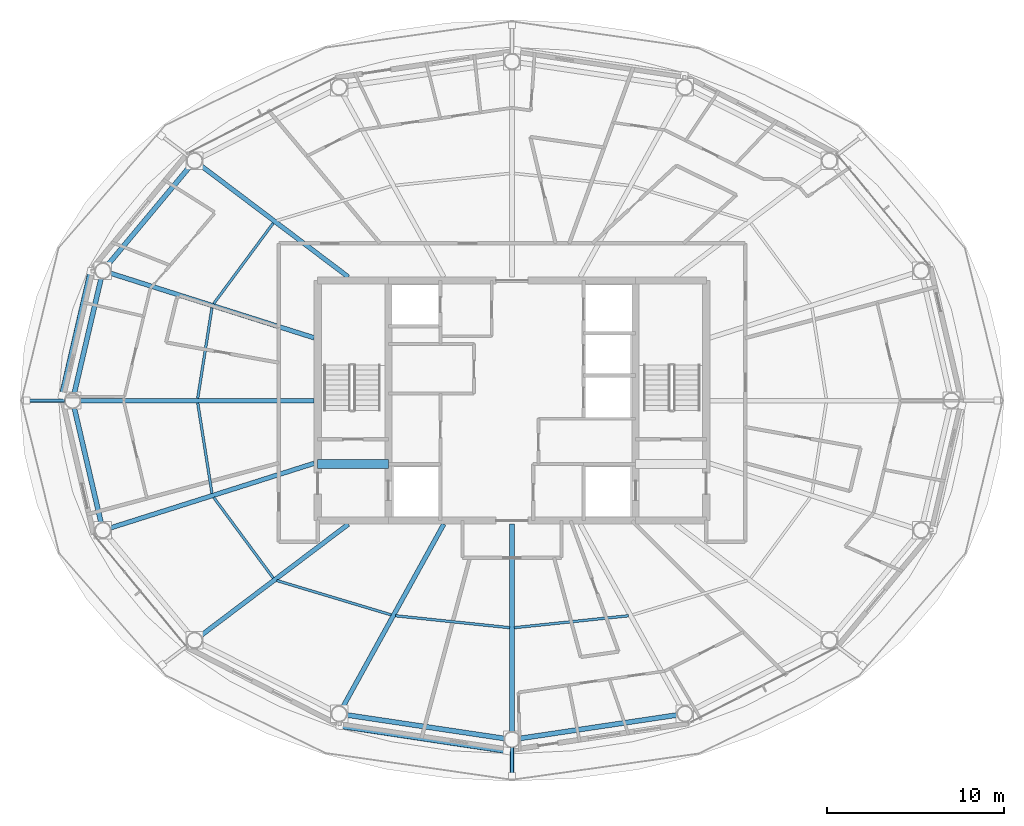
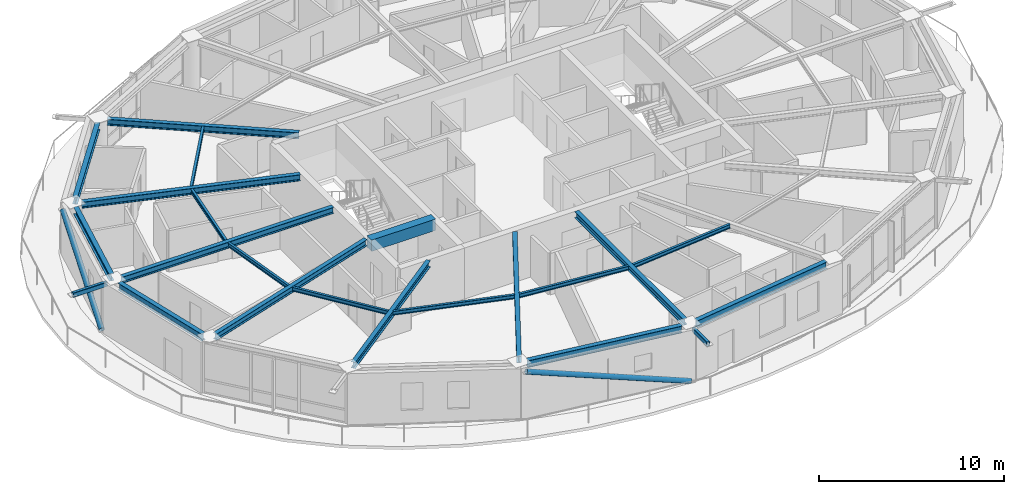
# One storey, part 4 of 23: 20 beams, 4 members.
"""IFC4 building model written with IfcOpenShell, lengths in metres."""

import ifcopenshell
import ifcopenshell.guid

model = None  # the IFC model being written
_history = None  # IfcOwnerHistory: only IFC2X3 demands one
_inside = {}  # id of a spatial element -> (the spatial element, [elements in it])
_under = {}  # id of a project, library or spatial element -> (it, [spatial elements below it])
_declared = {}  # id of a project -> (the project, [libraries it declares])
_typed = {}  # id of a type object -> (the type object, [elements of that type])
_made_of = {}  # id of a material, layer set ... -> (it, [elements and type objects made of it])


def new_model(schema):
    """Start an empty IFC model of exactly this schema.

    Asked for "IFC4X3", IfcOpenShell would pick the latest addendum, in which some entities
    have other attributes; the version numbers below select the first issue.
    IFC2X3 requires an IfcOwnerHistory on every rooted entity: one is made here for all.
    """
    global model, _history
    if schema == "IFC4X3":
        model = ifcopenshell.file(schema_version=(4, 3, 0, 0))
    else:
        model = ifcopenshell.file(schema=schema)
    _inside.clear()
    _under.clear()
    _declared.clear()
    _typed.clear()
    _made_of.clear()
    _history = None
    if model.schema == "IFC2X3":
        org = make("IfcOrganization", Name="unknown")
        user = make(
            "IfcPersonAndOrganization",
            ThePerson=make("IfcPerson", FamilyName="unknown"),
            TheOrganization=org,
        )
        app = make(
            "IfcApplication",
            ApplicationDeveloper=org,
            Version="unknown",
            ApplicationFullName="unknown",
            ApplicationIdentifier="unknown",
        )
        _history = make(
            "IfcOwnerHistory",
            OwningUser=user,
            OwningApplication=app,
            ChangeAction="ADDED",
            CreationDate=0,
        )
    return model


def make(cls, **values):
    """One entity of the class cls with the attributes given. An attribute that is None is left unset."""
    return model.create_entity(
        cls, **{name: value for name, value in values.items() if value is not None}
    )


def rooted(cls, **values):
    """An entity with a GlobalId (a new one), such as an element, a storey or a relation."""
    return make(cls, GlobalId=ifcopenshell.guid.new(), OwnerHistory=_history, **values)


def si_unit(unit_type, name, prefix=None):
    """IfcSIUnit, for example si_unit("LENGTHUNIT", "METRE", prefix="MILLI")."""
    return make("IfcSIUnit", UnitType=unit_type, Prefix=prefix, Name=name)


def assignment(units):
    """IfcUnitAssignment: the units of a project."""
    return None if units is None else make("IfcUnitAssignment", Units=units)


def point(xyz):
    """IfcCartesianPoint."""
    return None if xyz is None else make("IfcCartesianPoint", Coordinates=xyz)


def direction(xyz):
    """IfcDirection."""
    return None if xyz is None else make("IfcDirection", DirectionRatios=xyz)


def frame(location, z_axis=None, x_axis=None):
    """IfcAxis2Placement3D, a coordinate frame: its origin and axes. An axis left out is left unset."""
    return make(
        "IfcAxis2Placement3D",
        Location=point(location),
        Axis=direction(z_axis),
        RefDirection=direction(x_axis),
    )


def frame_2d(location, x_axis=None):
    """IfcAxis2Placement2D, a coordinate frame in the plane: its origin and x axis."""
    return make(
        "IfcAxis2Placement2D", Location=point(location), RefDirection=direction(x_axis)
    )


def origin():
    """The frame at (0, 0, 0) with its axes left unset."""
    return frame((0.0, 0.0, 0.0))


def origin_2d():
    """The frame at (0, 0) in the plane with its x axis left unset."""
    return frame_2d((0.0, 0.0))


def place(relative_to, where):
    """IfcLocalPlacement: puts the frame where relative to a parent placement (None: the world)."""
    return make(
        "IfcLocalPlacement", PlacementRelTo=relative_to, RelativePlacement=where
    )


def context(
    kind, dimensions, precision=None, world=None, true_north=None, identifier=None
):
    """IfcGeometricRepresentationContext, for example the 3D "Model" context."""
    return make(
        "IfcGeometricRepresentationContext",
        ContextIdentifier=identifier,
        ContextType=kind,
        CoordinateSpaceDimension=dimensions,
        Precision=precision,
        WorldCoordinateSystem=world,
        TrueNorth=true_north,
    )


def subcontext(parent, identifier, kind, view, scale=None):
    """IfcGeometricRepresentationSubContext, for example "Body" below "Model"."""
    return make(
        "IfcGeometricRepresentationSubContext",
        ContextIdentifier=identifier,
        ContextType=kind,
        ParentContext=parent,
        TargetScale=scale,
        TargetView=view,
    )


def project(units=None, contexts=None):
    """IfcProject with its units and contexts."""
    return rooted(
        "IfcProject",
        Name="project",
        RepresentationContexts=contexts,
        UnitsInContext=assignment(units),
    )


def spatial(cls, under=None, at=None, **own):
    """A site, building, storey or space (cls), placed at a placement, below another one or the project."""
    s = rooted(cls, ObjectPlacement=at, **own)
    if under is not None:
        _under.setdefault(under.id(), (under, []))[1].append(s)
    return s


def profile(cls, at=None, kind="AREA", **sizes):
    """A parametric profile (cls). Its sizes go by their IFC names, for example OverallWidth=200.0."""
    return make(cls, ProfileType=kind, Position=at, **sizes)


def rectangle(**sizes):
    """IfcRectangleProfileDef."""
    return profile("IfcRectangleProfileDef", **sizes)


def hollow_rectangle(**sizes):
    """IfcRectangleHollowProfileDef."""
    return profile("IfcRectangleHollowProfileDef", **sizes)


def hollow_circle(**sizes):
    """IfcCircleHollowProfileDef."""
    return profile("IfcCircleHollowProfileDef", **sizes)


def i_section(**sizes):
    """IfcIShapeProfileDef."""
    return profile("IfcIShapeProfileDef", **sizes)


def extrude(swept, where, along, depth):
    """IfcExtrudedAreaSolid: the profile swept, set in the frame where, extruded along a direction by depth."""
    return make(
        "IfcExtrudedAreaSolid",
        SweptArea=swept,
        Position=where,
        ExtrudedDirection=direction(along),
        Depth=depth,
    )


def shape(context_of_items, identifier, shape_type, items):
    """IfcShapeRepresentation: the items that make up one representation, for example the "Body"."""
    return make(
        "IfcShapeRepresentation",
        ContextOfItems=context_of_items,
        RepresentationIdentifier=identifier,
        RepresentationType=shape_type,
        Items=items,
    )


def material(Name=None, Category=None):
    """IfcMaterial."""
    return make("IfcMaterial", Name=Name, Category=Category)


def material_profile(
    of_material, cross_section, Name=None, Category=None, Priority=None
):
    """IfcMaterialProfile: a cross section and its material."""
    return make(
        "IfcMaterialProfile",
        Name=Name,
        Material=of_material,
        Profile=cross_section,
        Priority=Priority,
        Category=Category,
    )


def profile_set(profiles, Name=None, composite=None):
    """IfcMaterialProfileSet."""
    return make(
        "IfcMaterialProfileSet",
        Name=Name,
        MaterialProfiles=profiles,
        CompositeProfile=composite,
    )


def made_of(thing, what):
    """Note that an element or type object is made of a material, layer set ...; save() writes the relation."""
    if what is not None:
        _made_of.setdefault(what.id(), (what, []))[1].append(thing)
    return thing


def type_object(cls, material=None, **own):
    """A type object (cls), such as IfcWallType, which elements share."""
    return made_of(rooted(cls, **own), material)


def element(
    cls,
    number,
    at=None,
    inside=None,
    cuts=None,
    type_object=None,
    material=None,
    context=None,
    identifier="Body",
    shape_type=None,
    held_by="IfcProductDefinitionShape",
    body=None,
    shapes=None,
    **own,
):
    """One element of the class cls, such as IfcWall. Its Tag is "e" and its number.

    at: its placement. inside: the storey or other place that contains it. cuts: it is an
    opening in that element (IfcRelVoidsElement). A single representation is given by context,
    identifier, shape_type and body (its items); several are given by shapes. held_by: the class
    of the entity that holds the representations. save() writes the other relations.
    """
    e = rooted(cls, Tag="e%d" % number, ObjectPlacement=at, **own)
    if body is not None:
        shapes = [shape(context, identifier, shape_type, body)]
    if shapes is not None:
        e.Representation = make(held_by, Representations=shapes)
    if inside is not None:
        _inside.setdefault(inside.id(), (inside, []))[1].append(e)
    if cuts is not None:
        rooted(
            "IfcRelVoidsElement", RelatingBuildingElement=cuts, RelatedOpeningElement=e
        )
    if type_object is not None:
        _typed.setdefault(type_object.id(), (type_object, []))[1].append(e)
    return made_of(e, material)


def aggregate(whole, parts):
    """IfcRelAggregates: a whole, such as a stair, and the parts it consists of."""
    return rooted("IfcRelAggregates", RelatingObject=whole, RelatedObjects=parts)


def save(model, path):
    """Write the relations noted so far, then the file.

    IfcRelAggregates (storeys below a building ...), IfcRelContainedInSpatialStructure (elements
    in a storey), IfcRelDefinesByType, IfcRelAssociatesMaterial and IfcRelDeclares: one each for
    every whole, place, type object, material and project.
    """
    for whole, parts in _under.values():
        aggregate(whole, parts)
    for where, things in _inside.values():
        rooted(
            "IfcRelContainedInSpatialStructure",
            RelatedElements=things,
            RelatingStructure=where,
        )
    for kind, things in _typed.values():
        rooted("IfcRelDefinesByType", RelatedObjects=things, RelatingType=kind)
    for what, things in _made_of.values():
        rooted("IfcRelAssociatesMaterial", RelatedObjects=things, RelatingMaterial=what)
    for by, libraries in _declared.values():
        rooted("IfcRelDeclares", RelatingContext=by, RelatedDefinitions=libraries)
    model.write(path)


model = new_model("IFC4")

# Units and contexts
model_context = context("Model", 3, precision=1e-05, world=origin(), true_north=direction((0.0, 1.0)))
body_context = subcontext(model_context, "Body", "Model", "MODEL_VIEW")
ifc_project = project(units=[si_unit("LENGTHUNIT", "METRE"), si_unit("AREAUNIT", "SQUARE_METRE"), si_unit("VOLUMEUNIT", "CUBIC_METRE"), si_unit("PLANEANGLEUNIT", "RADIAN"), si_unit("MASSUNIT", "GRAM", prefix="KILO")], contexts=[model_context])

# Site, building, storey
site_placement = place(None, origin())
site = spatial("IfcSite", under=ifc_project, at=site_placement, CompositionType="ELEMENT")
building_placement = place(site_placement, origin())
building = spatial("IfcBuilding", under=site, at=building_placement, Name="Sarneth Arch Tower", CompositionType="ELEMENT")
storey_placement = place(building_placement, frame((0.0, 0.0, 262.199951171875)))
storey = spatial("IfcBuildingStorey", under=building, at=storey_placement, Name="L67", CompositionType="ELEMENT", Elevation=262.199951171875)

# Beams
ifc_material_1 = material(Name="Steel S355", Category="steel")
ifc_material_profile_1 = material_profile(ifc_material_1, i_section(OverallWidth=0.14794921875, OverallDepth=0.26611328125, WebThickness=0.007568359375, FlangeThickness=0.012939453125, FilletRadius=0.012939453125, at=origin_2d()), Name="W250x44.8")
ifc_profile_set_1 = profile_set([ifc_material_profile_1], Name="Steel S355")
beam_type_1 = type_object("IfcBeamType", Name="BM-JOIST-250", PredefinedType="JOIST", material=ifc_profile_set_1)
beam_1_placement = place(storey_placement, frame((34.480712890625, 52.048095703125, 3.237060546875), z_axis=(-0.59454712612, -0.804060765628, 0.0), x_axis=(0.804060765628, -0.59454712612, 0.0)))
element("IfcBeam", 1, at=beam_1_placement, inside=storey, type_object=beam_type_1, Name="L67 Secondary floor joist 07", PredefinedType="JOIST", context=body_context, shape_type="SweptSolid", body=[
    extrude(i_section(OverallWidth=0.14794921875, OverallDepth=0.26611328125, WebThickness=0.007568359375, FlangeThickness=0.012939453125, FilletRadius=0.012939453125, at=origin_2d()), origin(), (0.0, 0.0, 1.0), 5.673828125),
])
for number, where, z_axis, x_axis, name in (
    (2, (31.009765625, 47.253173828125, 3.237060546875), (-0.155394638761, -0.987852471903, 0.0), (0.987852471903, -0.155394638761, 0.0), "L67 Secondary floor joist 08"),
    (3, (30.20361328125, 41.87158203125, 3.237060546875), (0.155394638761, -0.987852471903, 0.0), (0.987852471903, 0.155394638761, 0.0), "L67 Secondary floor joist 09"),
):
    element("IfcBeam", number, at=place(storey_placement, frame(where, z_axis=z_axis, x_axis=x_axis)), inside=storey, type_object=beam_type_1, Name=name, PredefinedType="JOIST", context=body_context, shape_type="SweptSolid", body=[
        extrude(i_section(OverallWidth=0.14794921875, OverallDepth=0.26611328125, WebThickness=0.007568359375, FlangeThickness=0.012939453125, FilletRadius=0.012939453125, at=origin_2d()), origin(), (0.0, 0.0, 1.0), 5.187744140625),
    ])
beam_2_placement = place(storey_placement, frame((31.107421875, 36.513916015625, 3.237060546875), z_axis=(0.59454712612, -0.804060765628, 0.0), x_axis=(0.804060765628, 0.59454712612, 0.0)))
element("IfcBeam", 4, at=beam_2_placement, inside=storey, type_object=beam_type_1, Name="L67 Secondary floor joist 10", PredefinedType="JOIST", context=body_context, shape_type="SweptSolid", body=[
    extrude(i_section(OverallWidth=0.14794921875, OverallDepth=0.26611328125, WebThickness=0.007568359375, FlangeThickness=0.012939453125, FilletRadius=0.012939453125, at=origin_2d()), origin(), (0.0, 0.0, 1.0), 5.673828125),
])
beam_3_placement = place(storey_placement, frame((34.682373046875, 31.81005859375, 3.237060546875), z_axis=(0.957726833296, -0.287679183787, 0.0), x_axis=(0.287679183787, 0.957726833296, 0.0)))
element("IfcBeam", 5, at=beam_3_placement, inside=storey, type_object=beam_type_1, Name="L67 Secondary floor joist 11", PredefinedType="JOIST", context=body_context, shape_type="SweptSolid", body=[
    extrude(i_section(OverallWidth=0.14794921875, OverallDepth=0.26611328125, WebThickness=0.007568359375, FlangeThickness=0.012939453125, FilletRadius=0.012939453125, at=origin_2d()), origin(), (0.0, 0.0, 1.0), 6.760498046875),
])
for number, where, z_axis, x_axis, name in (
    (6, (41.410888671875, 29.814208984375, 3.237060546875), (0.994572393972, -0.104046879569, 0.0), (0.104046879569, 0.994572393972, 0.0), "L67 Secondary floor joist 12"),
    (7, (48.12939453125, 29.138427734375, 3.237060546875), (0.994572393972, 0.104046879569, 0.0), (-0.104046879569, 0.994572393972, 0.0), "L67 Secondary floor joist 13"),
):
    element("IfcBeam", number, at=place(storey_placement, frame(where, z_axis=z_axis, x_axis=x_axis)), inside=storey, type_object=beam_type_1, Name=name, PredefinedType="JOIST", context=body_context, shape_type="SweptSolid", body=[
        extrude(i_section(OverallWidth=0.14794921875, OverallDepth=0.26611328125, WebThickness=0.007568359375, FlangeThickness=0.012939453125, FilletRadius=0.012939453125, at=origin_2d()), origin(), (0.0, 0.0, 1.0), 6.494873046875),
    ])
ifc_material_2 = material(Name="Concrete C50/60", Category="concrete")
ifc_material_profile_2 = material_profile(ifc_material_2, rectangle(XDim=0.5, YDim=0.75, at=origin_2d()), Name="RC-500x750")
ifc_profile_set_2 = profile_set([ifc_material_profile_2], Name="Concrete C50/60")
beam_type_2 = type_object("IfcBeamType", Name="BM-LINTEL-RC", PredefinedType="LINTEL", material=ifc_profile_set_2)
beam_4_placement = place(storey_placement, frame((37.0, 38.39990234375, 2.9951171875), z_axis=(1.0, 0.0, 0.0), x_axis=(0.0, 1.0, 0.0)))
element("IfcBeam", 8, at=beam_4_placement, inside=storey, type_object=beam_type_2, Name="L67 Core coupling lintel W", PredefinedType="LINTEL", context=body_context, shape_type="SweptSolid", body=[
    extrude(rectangle(XDim=0.5, YDim=0.75, at=origin_2d()), origin(), (0.0, 0.0, 1.0), 4.0),
])
ifc_material_3 = material(Name="Steel S355", Category="steel")
ifc_material_profile_3 = material_profile(ifc_material_3, i_section(OverallWidth=0.260009765625, OverallDepth=0.4150390625, WebThickness=0.010009765625, FlangeThickness=0.016845703125, FilletRadius=0.01611328125, at=origin_2d()), Name="W410x100")
ifc_profile_set_3 = profile_set([ifc_material_profile_3], Name="Steel S355")
beam_type_3 = type_object("IfcBeamType", Name="BM-RAD-410A", PredefinedType="BEAM", material=ifc_profile_set_3)
beam_5_placement = place(storey_placement, frame((38.73193359375, 49.0, 3.16259765625), z_axis=(-0.79797356997, 0.602692443647, 0.0), x_axis=(-0.602692443647, -0.79797356997, 0.0)))
element("IfcBeam", 9, at=beam_5_placement, inside=storey, type_object=beam_type_3, Name="L67 Radial floor girder 07", PredefinedType="BEAM", context=body_context, shape_type="SweptSolid", body=[
    extrude(i_section(OverallWidth=0.260009765625, OverallDepth=0.4150390625, WebThickness=0.010009765625, FlangeThickness=0.016845703125, FilletRadius=0.01611328125, at=origin_2d()), origin(), (0.0, 0.0, 1.0), 10.461669921875),
])
beam_6_placement = place(storey_placement, frame((36.800048828125, 45.5517578125, 3.16259765625), z_axis=(-0.953215615433, 0.302291234563, 0.0), x_axis=(-0.302291234563, -0.953215615433, 0.0)))
element("IfcBeam", 10, at=beam_6_placement, inside=storey, type_object=beam_type_3, Name="L67 Radial floor girder 08", PredefinedType="BEAM", context=body_context, shape_type="SweptSolid", body=[
    extrude(i_section(OverallWidth=0.260009765625, OverallDepth=0.4150390625, WebThickness=0.010009765625, FlangeThickness=0.016845703125, FilletRadius=0.01611328125, at=origin_2d()), origin(), (0.0, 0.0, 1.0), 12.1064453125),
])
beam_7_placement = place(storey_placement, frame((36.800048828125, 42.0, 3.16259765625), z_axis=(-1.0, 0.0, 0.0), x_axis=(0.0, -1.0, 0.0)))
element("IfcBeam", 11, at=beam_7_placement, inside=storey, type_object=beam_type_3, Name="L67 Radial floor girder 09", PredefinedType="BEAM", context=body_context, shape_type="SweptSolid", body=[
    extrude(i_section(OverallWidth=0.260009765625, OverallDepth=0.4150390625, WebThickness=0.010009765625, FlangeThickness=0.016845703125, FilletRadius=0.01611328125, at=origin_2d()), origin(), (0.0, 0.0, 1.0), 13.233154296875),
])
beam_8_placement = place(storey_placement, frame((36.800048828125, 38.4482421875, 3.16259765625), z_axis=(-0.953215615433, -0.302291234563, 0.0), x_axis=(0.302291234563, -0.953215615433, 0.0)))
element("IfcBeam", 12, at=beam_8_placement, inside=storey, type_object=beam_type_3, Name="L67 Radial floor girder 10", PredefinedType="BEAM", context=body_context, shape_type="SweptSolid", body=[
    extrude(i_section(OverallWidth=0.260009765625, OverallDepth=0.4150390625, WebThickness=0.010009765625, FlangeThickness=0.016845703125, FilletRadius=0.01611328125, at=origin_2d()), origin(), (0.0, 0.0, 1.0), 12.1064453125),
])
beam_9_placement = place(storey_placement, frame((38.73193359375, 35.0, 3.16259765625), z_axis=(-0.79797356997, -0.602692443647, 0.0), x_axis=(0.602692443647, -0.79797356997, 0.0)))
element("IfcBeam", 13, at=beam_9_placement, inside=storey, type_object=beam_type_3, Name="L67 Radial floor girder 11", PredefinedType="BEAM", context=body_context, shape_type="SweptSolid", body=[
    extrude(i_section(OverallWidth=0.260009765625, OverallDepth=0.4150390625, WebThickness=0.010009765625, FlangeThickness=0.016845703125, FilletRadius=0.01611328125, at=origin_2d()), origin(), (0.0, 0.0, 1.0), 10.461669921875),
])
beam_10_placement = place(storey_placement, frame((44.13623046875, 35.0, 3.16259765625), z_axis=(-0.483218265038, -0.875499919094, 0.0), x_axis=(0.875499919094, -0.483218265038, 0.0)))
element("IfcBeam", 14, at=beam_10_placement, inside=storey, type_object=beam_type_3, Name="L67 Radial floor girder 12", PredefinedType="BEAM", context=body_context, shape_type="SweptSolid", body=[
    extrude(i_section(OverallWidth=0.260009765625, OverallDepth=0.4150390625, WebThickness=0.010009765625, FlangeThickness=0.016845703125, FilletRadius=0.01611328125, at=origin_2d()), origin(), (0.0, 0.0, 1.0), 11.8154296875),
])
beam_11_placement = place(storey_placement, frame((48.0, 35.0, 3.16259765625), z_axis=(0.0, -1.0, 0.0), x_axis=(1.0, 0.0, 0.0)))
element("IfcBeam", 15, at=beam_11_placement, inside=storey, type_object=beam_type_3, Name="L67 Radial floor girder 13", PredefinedType="BEAM", context=body_context, shape_type="SweptSolid", body=[
    extrude(i_section(OverallWidth=0.260009765625, OverallDepth=0.4150390625, WebThickness=0.010009765625, FlangeThickness=0.016845703125, FilletRadius=0.01611328125, at=origin_2d()), origin(), (0.0, 0.0, 1.0), 11.75),
])
ifc_material_4 = material(Name="Steel S355", Category="steel")
ifc_material_profile_4 = material_profile(ifc_material_4, i_section(OverallWidth=0.280029296875, OverallDepth=0.462890625, WebThickness=0.0107421875, FlangeThickness=0.017333984375, FilletRadius=0.01806640625, at=origin_2d()), Name="W460x113")
ifc_profile_set_4 = profile_set([ifc_material_profile_4], Name="Steel S355")
beam_type_4 = type_object("IfcBeamType", Name="BM-RAD-460A", PredefinedType="BEAM", material=ifc_profile_set_4)
beam_12_placement = place(storey_placement, frame((29.736572265625, 55.230712890625, 3.138427734375), z_axis=(-0.640390876881, -0.768049168222, 0.0), x_axis=(0.768049168222, -0.640390876881, 0.0)))
element("IfcBeam", 16, at=beam_12_placement, inside=storey, type_object=beam_type_4, Name="L67 Perimeter spandrel beam 07", PredefinedType="BEAM", context=body_context, shape_type="SweptSolid", body=[
    extrude(i_section(OverallWidth=0.280029296875, OverallDepth=0.462890625, WebThickness=0.0107421875, FlangeThickness=0.017333984375, FilletRadius=0.01806640625, at=origin_2d()), origin(), (0.0, 0.0, 1.0), 7.2099609375),
])
for number, where, z_axis, x_axis, name in (
    (17, (24.72900390625, 48.9091796875, 3.138427734375), (-0.227247037844, -0.973837144389, 0.0), (0.973837144389, -0.227247037844, 0.0), "L67 Perimeter spandrel beam 08"),
    (18, (23.218994140625, 41.561767578125, 3.138427734375), (0.227247037844, -0.973837144389, 0.0), (0.973837144389, 0.227247037844, 0.0), "L67 Perimeter spandrel beam 09"),
):
    element("IfcBeam", number, at=place(storey_placement, frame(where, z_axis=z_axis, x_axis=x_axis)), inside=storey, type_object=beam_type_4, Name=name, PredefinedType="BEAM", context=body_context, shape_type="SweptSolid", body=[
        extrude(i_section(OverallWidth=0.280029296875, OverallDepth=0.462890625, WebThickness=0.0107421875, FlangeThickness=0.017333984375, FilletRadius=0.01806640625, at=origin_2d()), origin(), (0.0, 0.0, 1.0), 6.644775390625),
    ])
for number, where, z_axis, x_axis, name in (
    (19, (38.654296875, 24.195068359375, 3.138427734375), (0.989041765772, -0.147635990052, 0.0), (0.147635990052, 0.989041765772, 0.0), "L67 Perimeter spandrel beam 12"),
    (20, (48.445068359375, 22.866455078125, 3.138427734375), (0.989041765772, 0.147635990052, 0.0), (-0.147635990052, 0.989041765772, 0.0), "L67 Perimeter spandrel beam 13"),
):
    element("IfcBeam", number, at=place(storey_placement, frame(where, z_axis=z_axis, x_axis=x_axis)), inside=storey, type_object=beam_type_4, Name=name, PredefinedType="BEAM", context=body_context, shape_type="SweptSolid", body=[
        extrude(i_section(OverallWidth=0.280029296875, OverallDepth=0.462890625, WebThickness=0.0107421875, FlangeThickness=0.017333984375, FilletRadius=0.01806640625, at=origin_2d()), origin(), (0.0, 0.0, 1.0), 8.999267578125),
    ])

# Members
ifc_material_5 = material(Name="Steel S355", Category="steel")
ifc_material_profile_5 = material_profile(ifc_material_5, hollow_rectangle(XDim=0.199951171875, YDim=0.300048828125, WallThickness=0.012451171875, InnerFilletRadius=0.018798828125, OuterFilletRadius=0.03125, at=origin_2d()), Name="RHS300x200x12.5")
ifc_profile_set_5 = profile_set([ifc_material_profile_5], Name="Steel S355")
member_type_1 = type_object("IfcMemberType", Name="MEM-CANT-STRUT", PredefinedType="STRUT", material=ifc_profile_set_5)
member_1_placement = place(storey_placement, frame((22.666748046875, 42.0, 3.2099609375), z_axis=(-1.0, 0.0, 0.0), x_axis=(0.0, -1.0, 0.0)))
element("IfcMember", 21, at=member_1_placement, inside=storey, type_object=member_type_1, Name="L67 Balcony cantilever bracket 09", PredefinedType="STRUT", context=body_context, shape_type="SweptSolid", body=[
    extrude(hollow_rectangle(XDim=0.199951171875, YDim=0.300048828125, WallThickness=0.012451171875, InnerFilletRadius=0.018798828125, OuterFilletRadius=0.03125, at=origin_2d()), origin(), (0.0, 0.0, 1.0), 2.1484375),
])
member_2_placement = place(storey_placement, frame((48.0, 22.35009765625, 3.2099609375), z_axis=(0.0, -1.0, 0.0), x_axis=(1.0, 0.0, 0.0)))
element("IfcMember", 22, at=member_2_placement, inside=storey, type_object=member_type_1, Name="L67 Balcony cantilever bracket 13", PredefinedType="STRUT", context=body_context, shape_type="SweptSolid", body=[
    extrude(hollow_rectangle(XDim=0.199951171875, YDim=0.300048828125, WallThickness=0.012451171875, InnerFilletRadius=0.018798828125, OuterFilletRadius=0.03125, at=origin_2d()), origin(), (0.0, 0.0, 1.0), 1.6015625),
])
ifc_material_6 = material(Name="Steel S355", Category="steel")
ifc_material_profile_6 = material_profile(ifc_material_6, hollow_circle(Radius=0.162109375, WallThickness=0.012451171875, at=origin_2d()), Name="CHS324x12.5")
ifc_profile_set_6 = profile_set([ifc_material_profile_6], Name="Steel S355")
member_type_2 = type_object("IfcMemberType", Name="MEM-DIAG-BR3", PredefinedType="BRACE", material=ifc_profile_set_6)
member_3_placement = place(storey_placement, frame((22.5234375, 42.292236328125, 0.02001953125), z_axis=(0.207343373373, 0.896265487877, 0.392067469651), x_axis=(-0.974268900284, 0.225388797281, 0.0)))
element("IfcMember", 23, at=member_3_placement, inside=storey, type_object=member_type_2, Name="L67 Perimeter frame diagonal 08", PredefinedType="BRACE", context=body_context, shape_type="SweptSolid", body=[
    extrude(hollow_circle(Radius=0.162109375, WallThickness=0.012451171875, at=origin_2d()), origin(), (0.0, 0.0, 1.0), 7.836181640625),
])
member_4_placement = place(storey_placement, frame((47.703369140625, 22.16455078125, 0.02001953125), z_axis=(-0.941471055877, 0.141762627625, 0.305835917372), x_axis=(-0.148897148305, -0.988852688335, 0.0)))
element("IfcMember", 24, at=member_4_placement, inside=storey, type_object=member_type_2, Name="L67 Perimeter frame diagonal 12", PredefinedType="BRACE", context=body_context, shape_type="SweptSolid", body=[
    extrude(hollow_circle(Radius=0.162109375, WallThickness=0.012451171875, at=origin_2d()), origin(), (0.0, 0.0, 1.0), 10.04541015625),
])

save(model, "model.ifc")
